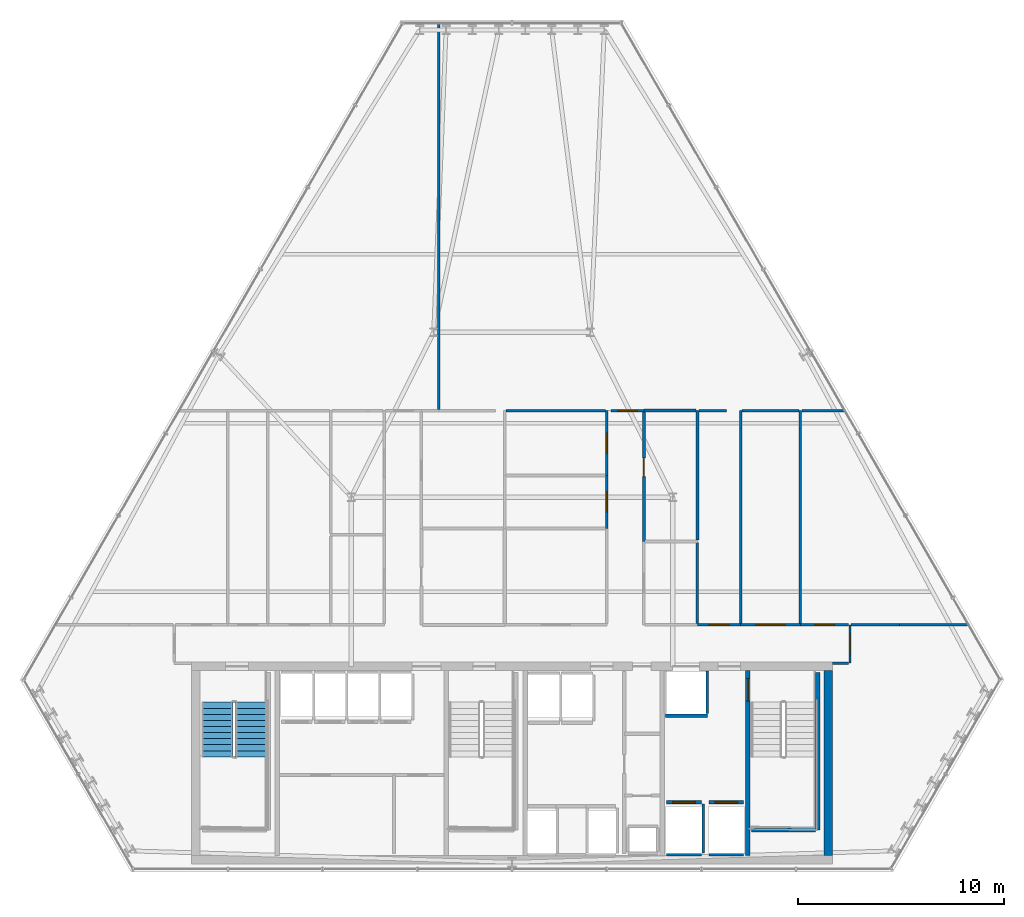
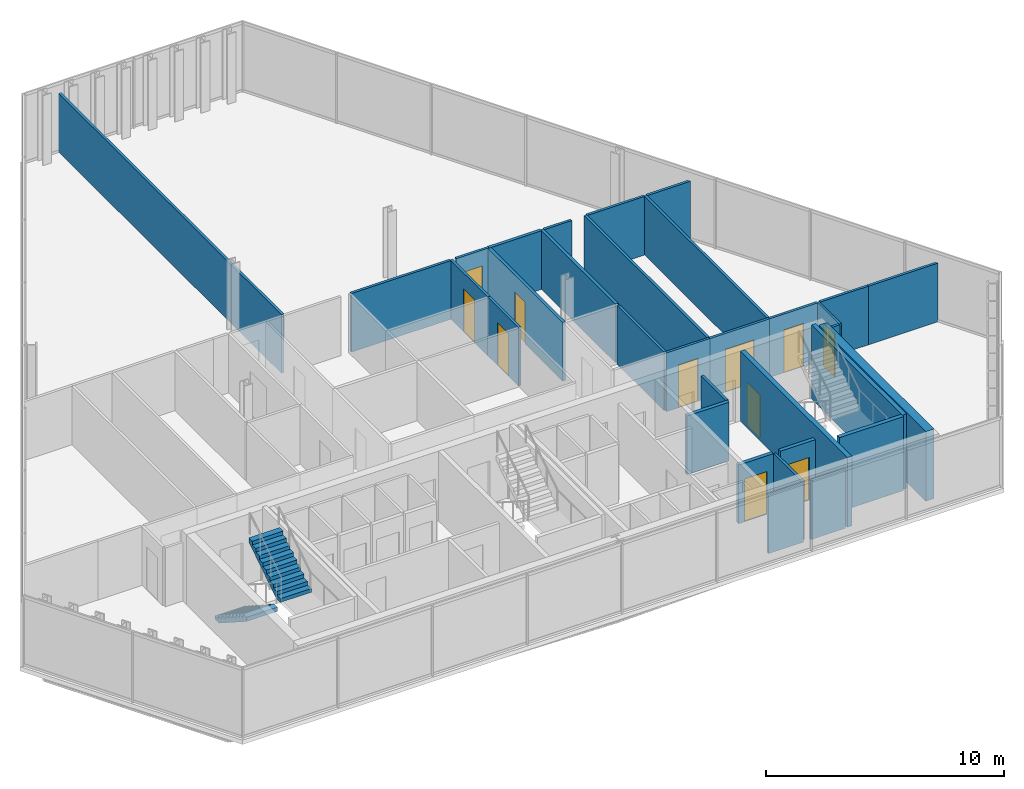
# One storey, part 29 of 33: 32 walls, 11 doors, 2 stair flights, 11 openings, 1 element without a shape of its own.
"""IFC4 building model written with IfcOpenShell, lengths in metres."""

from ifc_helpers import new_model, si_unit, direction, frame, frame_2d, origin, place, context, subcontext, project, spatial, polyline, rectangle, outline, extrude, material, layer, layer_set, type_object, element, fill, aggregate, save


model = new_model("IFC4")

# Units and contexts
model_context = context("Model", 3, precision=1e-05, world=origin(), true_north=direction((0.0, 1.0)))
body_context = subcontext(model_context, "Body", "Model", "MODEL_VIEW")
ifc_project = project(units=[si_unit("LENGTHUNIT", "METRE"), si_unit("AREAUNIT", "SQUARE_METRE"), si_unit("VOLUMEUNIT", "CUBIC_METRE"), si_unit("PLANEANGLEUNIT", "RADIAN"), si_unit("MASSUNIT", "GRAM", prefix="KILO")], contexts=[model_context])

# Site, building, storey
site_placement = place(None, origin())
site = spatial("IfcSite", under=ifc_project, at=site_placement, CompositionType="ELEMENT")
building_placement = place(site_placement, origin())
building = spatial("IfcBuilding", under=site, at=building_placement, Name="Ndaravel Arena Tower", CompositionType="ELEMENT")
storey_placement = place(building_placement, frame((0.0, 0.0, 165.0)))
storey = spatial("IfcBuildingStorey", under=building, at=storey_placement, Name="L39", CompositionType="ELEMENT", Elevation=165.0)

# Wall, opening, door
ifc_material_1 = material(Name="Concrete C50/60", Category="concrete")
ifc_layer_1 = layer(ifc_material_1, 0.219970703125)
ifc_layer_set_1 = layer_set([ifc_layer_1], Name="Concrete C50/60")
wall_type_1 = type_object("IfcWallType", Name="WALL-CORE-220", PredefinedType="SOLIDWALL", material=ifc_layer_set_1)
wall_1_placement = place(storey_placement, frame((53.449951171875, 5.800048828125, 0.0), z_axis=(0.0, 0.0, 1.0), x_axis=(0.0, 1.0, 0.0)))
wall_1 = element("IfcWall", 1, at=wall_1_placement, inside=storey, type_object=wall_type_1, Name="L39 Core Web Shear Wall 5", PredefinedType="SOLIDWALL", context=body_context, shape_type="SweptSolid", body=[
    extrude(rectangle(XDim=9.0, YDim=0.219970703125, at=frame_2d((4.5, 0.0))), origin(), (0.0, 0.0, 1.0), 3.580078125),
])
opening_1_placement = place(wall_1_placement, frame((7.5, 0.0, 0.0)))
opening_1 = element("IfcOpeningElement", 2, at=opening_1_placement, cuts=wall_1, Name="Opening FD-01", PredefinedType="OPENING", context=body_context, shape_type="SweptSolid", body=[
    extrude(rectangle(XDim=1.10009765625, YDim=2.199951171875, at=frame_2d((0.550048828125, 1.10009765625))), frame((0.0, 0.10986328125, 0.0), z_axis=(0.0, -1.0, 0.0), x_axis=(1.0, 0.0, 0.0)), (0.0, 0.0, 1.0), 0.219970703125),
])
ifc_material_2 = material(Name="Steel S355", Category="steel")
door_type_1 = type_object("IfcDoorType", Name="DT-01-STAIR-1100", OperationType="SINGLE_SWING_LEFT", PredefinedType="DOOR", material=ifc_material_2)
door_1_placement = place(opening_1_placement, origin())
door_1 = element("IfcDoor", 3, at=door_1_placement, inside=storey, type_object=door_type_1, Name="L39 Firefighting Lobby to ST-3 Door", OperationType="SINGLE_SWING_LEFT", OverallHeight=2.199951171875, OverallWidth=1.10009765625, PredefinedType="DOOR", context=body_context, shape_type="SweptSolid", body=[
    extrude(rectangle(XDim=1.10009765625, YDim=2.199951171875, at=frame_2d((0.550048828125, 1.10009765625))), frame((0.0, 0.02490234375, 0.0), z_axis=(0.0, -1.0, 0.0), x_axis=(1.0, 0.0, 0.0)), (0.0, 0.0, 1.0), 0.050048828125),
])
fill(opening_1, door_1)

# Wall
ifc_material_3 = material(Name="Concrete C50/60", Category="concrete")
ifc_layer_2 = layer(ifc_material_3, 0.39990234375)
ifc_layer_set_2 = layer_set([ifc_layer_2], Name="Concrete C50/60")
wall_type_2 = type_object("IfcWallType", Name="WALL-CORE-400", PredefinedType="SOLIDWALL", material=ifc_layer_set_2)
wall_2_placement = place(storey_placement, frame((57.35009765625, 5.800048828125, 0.0), z_axis=(0.0, 0.0, 1.0), x_axis=(0.0, 1.0, 0.0)))
element("IfcWall", 4, at=wall_2_placement, inside=storey, type_object=wall_type_2, Name="L39 Core East Shear Wall", PredefinedType="SOLIDWALL", context=body_context, shape_type="SweptSolid", body=[
    extrude(rectangle(XDim=9.0, YDim=0.39990234375, at=frame_2d((4.5, 0.0))), origin(), (0.0, 0.0, 1.0), 3.580078125),
])

# Wall, opening, door
ifc_material_4 = material(Name="Timber", Category="wood")
ifc_layer_3 = layer(ifc_material_4, 0.10009765625)
ifc_layer_set_3 = layer_set([ifc_layer_3], Name="Timber")
wall_type_3 = type_object("IfcWallType", Name="WALL-MOVABLE-100", PredefinedType="MOVABLE", material=ifc_layer_set_3)
wall_3_placement = place(storey_placement, frame((58.39990234375, 17.0, 0.0), z_axis=(0.0, 0.0, 1.0), x_axis=(0.0, -1.0, 0.0)))
wall_3 = element("IfcWall", 5, at=wall_3_placement, inside=storey, type_object=wall_type_3, Name="L39 Interior Partition 001", PredefinedType="MOVABLE", context=body_context, shape_type="SweptSolid", body=[
    extrude(rectangle(XDim=1.85009765625, YDim=0.10009765625, at=frame_2d((0.925048828125, 0.0))), origin(), (0.0, 0.0, 1.0), 3.010498046875),
])
opening_2_placement = place(wall_3_placement, frame((0.449951171875, 0.0, 0.0)))
opening_2 = element("IfcOpeningElement", 6, at=opening_2_placement, cuts=wall_3, Name="Opening ID-01", PredefinedType="OPENING", context=body_context, shape_type="SweptSolid", body=[
    extrude(rectangle(XDim=0.949951171875, YDim=2.199951171875, at=frame_2d((0.47509765625, 1.10009765625))), frame((0.0, 0.050048828125, 0.0), z_axis=(0.0, -1.0, 0.0), x_axis=(1.0, 0.0, 0.0)), (0.0, 0.0, 1.0), 0.10009765625),
])
ifc_material_5 = material(Name="Timber", Category="wood")
door_type_2 = type_object("IfcDoorType", Name="DT-03-OFFICE-950", OperationType="SINGLE_SWING_LEFT", PredefinedType="DOOR", material=ifc_material_5)
door_2_placement = place(opening_2_placement, origin())
door_2 = element("IfcDoor", 7, at=door_2_placement, inside=storey, type_object=door_type_2, Name="L39 Staff Wellness Clinic Door", OperationType="SINGLE_SWING_LEFT", OverallHeight=2.199951171875, OverallWidth=0.949951171875, PredefinedType="DOOR", context=body_context, shape_type="SweptSolid", body=[
    extrude(rectangle(XDim=0.949951171875, YDim=2.199951171875, at=frame_2d((0.47509765625, 1.10009765625))), frame((0.0, 0.02490234375, 0.0), z_axis=(0.0, -1.0, 0.0), x_axis=(1.0, 0.0, 0.0)), (0.0, 0.0, 1.0), 0.050048828125),
])
fill(opening_2, door_2)

# Wall
ifc_material_6 = material(Name="Gypsum", Category="gypsum")
ifc_layer_4 = layer(ifc_material_6, 0.125)
ifc_layer_set_4 = layer_set([ifc_layer_4], Name="Gypsum")
wall_type_4 = type_object("IfcWallType", Name="WALL-PART-125", PredefinedType="PARTITIONING", material=ifc_layer_set_4)
wall_4_placement = place(storey_placement, frame((58.3349609375, 15.14990234375, 0.0), z_axis=(0.0, 0.0, 1.0), x_axis=(-1.0, 0.0, 0.0)))
element("IfcWall", 8, at=wall_4_placement, inside=storey, type_object=wall_type_4, Name="L39 Interior Partition 002", PredefinedType="PARTITIONING", context=body_context, shape_type="SweptSolid", body=[
    extrude(rectangle(XDim=0.784912109375, YDim=0.125, at=frame_2d((0.392578125, 0.0))), origin(), (0.0, 0.0, 1.0), 3.010498046875),
])

# Wall, opening, door
wall_5_placement = place(storey_placement, frame((46.60009765625, 21.679931640625, 0.0), z_axis=(0.0, 0.0, 1.0), x_axis=(0.0, 1.0, 0.0)))
wall_5 = element("IfcWall", 9, at=wall_5_placement, inside=storey, type_object=wall_type_4, Name="L39 Interior Partition 017", PredefinedType="PARTITIONING", context=body_context, shape_type="SweptSolid", body=[
    extrude(rectangle(XDim=2.573974609375, YDim=0.125, at=frame_2d((1.287109375, 0.0))), origin(), (0.0, 0.0, 1.0), 3.010498046875),
])
opening_3_placement = place(wall_5_placement, frame((0.81201171875, 0.0, 0.0)))
opening_3 = element("IfcOpeningElement", 10, at=opening_3_placement, cuts=wall_5, Name="Opening ID-01", PredefinedType="OPENING", context=body_context, shape_type="SweptSolid", body=[
    extrude(rectangle(XDim=0.949951171875, YDim=2.199951171875, at=frame_2d((0.47509765625, 1.10009765625))), frame((0.0, 0.0625, 0.0), z_axis=(0.0, -1.0, 0.0), x_axis=(1.0, 0.0, 0.0)), (0.0, 0.0, 1.0), 0.125),
])
door_3_placement = place(opening_3_placement, origin())
door_3 = element("IfcDoor", 11, at=door_3_placement, inside=storey, type_object=door_type_2, Name="L39 Staff Wellness Clinic 5 Door", OperationType="SINGLE_SWING_RIGHT", OverallHeight=2.199951171875, OverallWidth=0.949951171875, PredefinedType="DOOR", context=body_context, shape_type="SweptSolid", body=[
    extrude(rectangle(XDim=0.949951171875, YDim=2.199951171875, at=frame_2d((0.47509765625, 1.10009765625))), frame((0.0, 0.02490234375, 0.0), z_axis=(0.0, -1.0, 0.0), x_axis=(1.0, 0.0, 0.0)), (0.0, 0.0, 1.0), 0.050048828125),
])
fill(opening_3, door_3)

wall_6_placement = place(storey_placement, frame((46.60009765625, 24.25390625, 0.0), z_axis=(0.0, 0.0, 1.0), x_axis=(0.0, 1.0, 0.0)))
wall_6 = element("IfcWall", 12, at=wall_6_placement, inside=storey, type_object=wall_type_4, Name="L39 Interior Partition 018", PredefinedType="PARTITIONING", context=body_context, shape_type="SweptSolid", body=[
    extrude(rectangle(XDim=3.14599609375, YDim=0.125, at=frame_2d((1.572998046875, 0.0))), origin(), (0.0, 0.0, 1.0), 3.010498046875),
])
opening_4_placement = place(wall_6_placement, frame((1.097900390625, 0.0, 0.0)))
opening_4 = element("IfcOpeningElement", 13, at=opening_4_placement, cuts=wall_6, Name="Opening ID-01", PredefinedType="OPENING", context=body_context, shape_type="SweptSolid", body=[
    extrude(rectangle(XDim=0.949951171875, YDim=2.199951171875, at=frame_2d((0.47509765625, 1.10009765625))), frame((0.0, 0.0625, 0.0), z_axis=(0.0, -1.0, 0.0), x_axis=(1.0, 0.0, 0.0)), (0.0, 0.0, 1.0), 0.125),
])
door_4_placement = place(opening_4_placement, origin())
door_4 = element("IfcDoor", 14, at=door_4_placement, inside=storey, type_object=door_type_2, Name="L39 Project Seminar Room 7 Door", OperationType="SINGLE_SWING_RIGHT", OverallHeight=2.199951171875, OverallWidth=0.949951171875, PredefinedType="DOOR", context=body_context, shape_type="SweptSolid", body=[
    extrude(rectangle(XDim=0.949951171875, YDim=2.199951171875, at=frame_2d((0.47509765625, 1.10009765625))), frame((0.0, 0.02490234375, 0.0), z_axis=(0.0, -1.0, 0.0), x_axis=(1.0, 0.0, 0.0)), (0.0, 0.0, 1.0), 0.050048828125),
])
fill(opening_4, door_4)

wall_7_placement = place(storey_placement, frame((46.800048828125, 27.39990234375, 0.0), z_axis=(0.0, 0.0, 1.0), x_axis=(1.0, 0.0, 0.0)))
wall_7 = element("IfcWall", 15, at=wall_7_placement, inside=storey, type_object=wall_type_4, Name="L39 Interior Partition 019", PredefinedType="PARTITIONING", context=body_context, shape_type="SweptSolid", body=[
    extrude(rectangle(XDim=1.599853515625, YDim=0.125, at=frame_2d((0.7998046875, 0.0))), origin(), (0.0, 0.0, 1.0), 3.010498046875),
])
opening_5_placement = place(wall_7_placement, frame((0.324951171875, 0.0, 0.0)))
opening_5 = element("IfcOpeningElement", 16, at=opening_5_placement, cuts=wall_7, Name="Opening ID-01", PredefinedType="OPENING", context=body_context, shape_type="SweptSolid", body=[
    extrude(rectangle(XDim=0.949951171875, YDim=2.199951171875, at=frame_2d((0.47509765625, 1.10009765625))), frame((0.0, 0.0625, 0.0), z_axis=(0.0, -1.0, 0.0), x_axis=(1.0, 0.0, 0.0)), (0.0, 0.0, 1.0), 0.125),
])
door_5_placement = place(opening_5_placement, origin())
door_5 = element("IfcDoor", 17, at=door_5_placement, inside=storey, type_object=door_type_2, Name="L39 Training Classroom 8 Door", OperationType="SINGLE_SWING_RIGHT", OverallHeight=2.199951171875, OverallWidth=0.949951171875, PredefinedType="DOOR", context=body_context, shape_type="SweptSolid", body=[
    extrude(rectangle(XDim=0.949951171875, YDim=2.199951171875, at=frame_2d((0.47509765625, 1.10009765625))), frame((0.0, 0.02490234375, 0.0), z_axis=(0.0, -1.0, 0.0), x_axis=(1.0, 0.0, 0.0)), (0.0, 0.0, 1.0), 0.050048828125),
])
fill(opening_5, door_5)

wall_8_placement = place(storey_placement, frame((51.0, 17.0, 0.0), z_axis=(0.0, 0.0, 1.0), x_axis=(1.0, 0.0, 0.0)))
wall_8 = element("IfcWall", 18, at=wall_8_placement, inside=storey, type_object=wall_type_4, Name="L39 Interior Partition 023", PredefinedType="PARTITIONING", context=body_context, shape_type="SweptSolid", body=[
    extrude(rectangle(XDim=2.10009765625, YDim=0.125, at=frame_2d((1.050048828125, 0.0))), origin(), (0.0, 0.0, 1.0), 3.010498046875),
])
opening_6_placement = place(wall_8_placement, frame((0.574951171875, 0.0, 0.0)))
opening_6 = element("IfcOpeningElement", 19, at=opening_6_placement, cuts=wall_8, Name="Opening ID-01", PredefinedType="OPENING", context=body_context, shape_type="SweptSolid", body=[
    extrude(rectangle(XDim=0.949951171875, YDim=2.199951171875, at=frame_2d((0.47509765625, 1.10009765625))), frame((0.0, 0.0625, 0.0), z_axis=(0.0, -1.0, 0.0), x_axis=(1.0, 0.0, 0.0)), (0.0, 0.0, 1.0), 0.125),
])
door_6_placement = place(opening_6_placement, origin())
door_6 = element("IfcDoor", 20, at=door_6_placement, inside=storey, type_object=door_type_2, Name="L39 Physio Therapy Room 4 Door", OperationType="SINGLE_SWING_RIGHT", OverallHeight=2.199951171875, OverallWidth=0.949951171875, PredefinedType="DOOR", context=body_context, shape_type="SweptSolid", body=[
    extrude(rectangle(XDim=0.949951171875, YDim=2.199951171875, at=frame_2d((0.47509765625, 1.10009765625))), frame((0.0, 0.02490234375, 0.0), z_axis=(0.0, -1.0, 0.0), x_axis=(1.0, 0.0, 0.0)), (0.0, 0.0, 1.0), 0.050048828125),
])
fill(opening_6, door_6)

wall_9_placement = place(storey_placement, frame((53.10009765625, 17.0, 0.0), z_axis=(0.0, 0.0, 1.0), x_axis=(1.0, 0.0, 0.0)))
wall_9 = element("IfcWall", 21, at=wall_9_placement, inside=storey, type_object=wall_type_4, Name="L39 Interior Partition 024", PredefinedType="PARTITIONING", context=body_context, shape_type="SweptSolid", body=[
    extrude(rectangle(XDim=2.89990234375, YDim=0.125, at=frame_2d((1.449951171875, 0.0))), origin(), (0.0, 0.0, 1.0), 3.010498046875),
])
opening_7_placement = place(wall_9_placement, frame((0.75, 0.0, 0.0)))
opening_7 = element("IfcOpeningElement", 22, at=opening_7_placement, cuts=wall_9, Name="Opening ID-02", PredefinedType="OPENING", context=body_context, shape_type="SweptSolid", body=[
    extrude(rectangle(XDim=1.39990234375, YDim=2.199951171875, at=frame_2d((0.699951171875, 1.10009765625))), frame((0.0, 0.0625, 0.0), z_axis=(0.0, -1.0, 0.0), x_axis=(1.0, 0.0, 0.0)), (0.0, 0.0, 1.0), 0.125),
])
ifc_material_7 = material(Name="Timber", Category="wood")
door_type_3 = type_object("IfcDoorType", Name="DT-04-SUITE-1400", OperationType="DOUBLE_DOOR_SINGLE_SWING", PredefinedType="DOOR", material=ifc_material_7)
door_7_placement = place(opening_7_placement, origin())
door_7 = element("IfcDoor", 23, at=door_7_placement, inside=storey, type_object=door_type_3, Name="L39 Executive Boardroom 5 Door", OperationType="SINGLE_SWING_LEFT", OverallHeight=2.199951171875, OverallWidth=1.39990234375, PredefinedType="DOOR", context=body_context, shape_type="SweptSolid", body=[
    extrude(rectangle(XDim=1.39990234375, YDim=2.199951171875, at=frame_2d((0.699951171875, 1.10009765625))), frame((0.0, 0.02490234375, 0.0), z_axis=(0.0, -1.0, 0.0), x_axis=(1.0, 0.0, 0.0)), (0.0, 0.0, 1.0), 0.050048828125),
])
fill(opening_7, door_7)

wall_10_placement = place(storey_placement, frame((56.0, 17.0, 0.0), z_axis=(0.0, 0.0, 1.0), x_axis=(1.0, 0.0, 0.0)))
wall_10 = element("IfcWall", 24, at=wall_10_placement, inside=storey, type_object=wall_type_4, Name="L39 Interior Partition 025", PredefinedType="PARTITIONING", context=body_context, shape_type="SweptSolid", body=[
    extrude(rectangle(XDim=2.3349609375, YDim=0.125, at=frame_2d((1.16748046875, 0.0))), origin(), (0.0, 0.0, 1.0), 3.010498046875),
])
opening_8_placement = place(wall_10_placement, frame((0.6923828125, 0.0, 0.0)))
opening_8 = element("IfcOpeningElement", 25, at=opening_8_placement, cuts=wall_10, Name="Opening ID-01", PredefinedType="OPENING", context=body_context, shape_type="SweptSolid", body=[
    extrude(rectangle(XDim=0.949951171875, YDim=2.199951171875, at=frame_2d((0.47509765625, 1.10009765625))), frame((0.0, 0.0625, 0.0), z_axis=(0.0, -1.0, 0.0), x_axis=(1.0, 0.0, 0.0)), (0.0, 0.0, 1.0), 0.125),
])
door_8_placement = place(opening_8_placement, origin())
door_8 = element("IfcDoor", 26, at=door_8_placement, inside=storey, type_object=door_type_2, Name="L39 Project Seminar Room 3 Door", OperationType="SINGLE_SWING_RIGHT", OverallHeight=2.199951171875, OverallWidth=0.949951171875, PredefinedType="DOOR", context=body_context, shape_type="SweptSolid", body=[
    extrude(rectangle(XDim=0.949951171875, YDim=2.199951171875, at=frame_2d((0.47509765625, 1.10009765625))), frame((0.0, 0.02490234375, 0.0), z_axis=(0.0, -1.0, 0.0), x_axis=(1.0, 0.0, 0.0)), (0.0, 0.0, 1.0), 0.050048828125),
])
fill(opening_8, door_8)

# Walls
wall_11_placement = place(storey_placement, frame((58.465087890625, 17.0, 0.0), z_axis=(0.0, 0.0, 1.0), x_axis=(1.0, 0.0, 0.0)))
element("IfcWall", 27, at=wall_11_placement, inside=storey, type_object=wall_type_4, Name="L39 Interior Partition 028", PredefinedType="PARTITIONING", context=body_context, shape_type="SweptSolid", body=[
    extrude(rectangle(XDim=2.3349609375, YDim=0.125, at=frame_2d((1.16748046875, 0.0))), origin(), (0.0, 0.0, 1.0), 3.010498046875),
])
wall_12_placement = place(storey_placement, frame((60.800048828125, 17.0, 0.0), z_axis=(0.0, 0.0, 1.0), x_axis=(1.0, 0.0, 0.0)))
element("IfcWall", 28, at=wall_12_placement, inside=storey, type_object=wall_type_4, Name="L39 Interior Partition 029", PredefinedType="PARTITIONING", context=body_context, shape_type="SweptSolid", body=[
    extrude(rectangle(XDim=3.364501953125, YDim=0.125, at=frame_2d((1.68212890625, 0.0))), origin(), (0.0, 0.0, 1.0), 3.010498046875),
])
wall_13_placement = place(storey_placement, frame((51.0, 20.990966796875, 0.0), z_axis=(0.0, 0.0, 1.0), x_axis=(0.0, -1.0, 0.0)))
element("IfcWall", 29, at=wall_13_placement, inside=storey, type_object=wall_type_4, Name="L39 Interior Partition 031", PredefinedType="PARTITIONING", context=body_context, shape_type="SweptSolid", body=[
    extrude(rectangle(XDim=3.926025390625, YDim=0.125, at=frame_2d((1.962890625, 0.0))), origin(), (0.0, 0.0, 1.0), 3.010498046875),
])
wall_14_placement = place(storey_placement, frame((56.0, 17.06494140625, 0.0), z_axis=(0.0, 0.0, 1.0), x_axis=(0.0, 1.0, 0.0)))
element("IfcWall", 30, at=wall_14_placement, inside=storey, type_object=wall_type_4, Name="L39 Interior Partition 037", PredefinedType="PARTITIONING", context=body_context, shape_type="SweptSolid", body=[
    extrude(rectangle(XDim=10.3349609375, YDim=0.125, at=frame_2d((5.16748046875, 0.0))), origin(), (0.0, 0.0, 1.0), 3.010498046875),
])
wall_15_placement = place(storey_placement, frame((56.06494140625, 27.39990234375, 0.0), z_axis=(0.0, 0.0, 1.0), x_axis=(1.0, 0.0, 0.0)))
element("IfcWall", 31, at=wall_15_placement, inside=storey, type_object=wall_type_4, Name="L39 Interior Partition 038", PredefinedType="PARTITIONING", context=body_context, shape_type="SweptSolid", body=[
    extrude(rectangle(XDim=2.09521484375, YDim=0.125, at=frame_2d((1.047607421875, 0.0))), origin(), (0.0, 0.0, 1.0), 3.010498046875),
])
wall_16_placement = place(storey_placement, frame((51.06494140625, 27.39990234375, 0.0), z_axis=(0.0, 0.0, 1.0), x_axis=(1.0, 0.0, 0.0)))
element("IfcWall", 32, at=wall_16_placement, inside=storey, type_object=wall_type_4, Name="L39 Interior Partition 046", PredefinedType="PARTITIONING", context=body_context, shape_type="SweptSolid", body=[
    extrude(rectangle(XDim=1.3349609375, YDim=0.125, at=frame_2d((0.66748046875, 0.0))), origin(), (0.0, 0.0, 1.0), 3.010498046875),
])
wall_17_placement = place(storey_placement, frame((53.10009765625, 27.39990234375, 0.0), z_axis=(0.0, 0.0, 1.0), x_axis=(0.0, -1.0, 0.0)))
element("IfcWall", 33, at=wall_17_placement, inside=storey, type_object=wall_type_4, Name="L39 Interior Partition 047", PredefinedType="PARTITIONING", context=body_context, shape_type="SweptSolid", body=[
    extrude(rectangle(XDim=10.3349609375, YDim=0.125, at=frame_2d((5.16748046875, 0.0))), origin(), (0.0, 0.0, 1.0), 3.010498046875),
])
wall_18_placement = place(storey_placement, frame((53.1650390625, 27.39990234375, 0.0), z_axis=(0.0, 0.0, 1.0), x_axis=(1.0, 0.0, 0.0)))
element("IfcWall", 34, at=wall_18_placement, inside=storey, type_object=wall_type_4, Name="L39 Interior Partition 048", PredefinedType="PARTITIONING", context=body_context, shape_type="SweptSolid", body=[
    extrude(rectangle(XDim=2.77001953125, YDim=0.125, at=frame_2d((1.385009765625, 0.0))), origin(), (0.0, 0.0, 1.0), 3.010498046875),
])
wall_19_placement = place(storey_placement, frame((41.715087890625, 27.39990234375, 0.0), z_axis=(0.0, 0.0, 1.0), x_axis=(1.0, 0.0, 0.0)))
element("IfcWall", 35, at=wall_19_placement, inside=storey, type_object=wall_type_4, Name="L39 Interior Partition 057", PredefinedType="PARTITIONING", context=body_context, shape_type="SweptSolid", body=[
    extrude(rectangle(XDim=4.81982421875, YDim=0.125, at=frame_2d((2.409912109375, 0.0))), origin(), (0.0, 0.0, 1.0), 3.010498046875),
])
wall_20_placement = place(storey_placement, frame((38.44482421875, 46.20166015625, 0.0), z_axis=(0.0, 0.0, 1.0), x_axis=(0.0, -1.0, 0.0)))
element("IfcWall", 36, at=wall_20_placement, inside=storey, type_object=wall_type_4, Name="L39 Interior Partition 058", PredefinedType="PARTITIONING", context=body_context, shape_type="SweptSolid", body=[
    extrude(rectangle(XDim=18.736572265625, YDim=0.125, at=frame_2d((9.3681640625, 0.0))), origin(), (0.0, 0.0, 1.0), 3.010498046875),
])
ifc_material_8 = material(Name="Concrete C40/50", Category="concrete")
ifc_layer_5 = layer(ifc_material_8, 0.1201171875)
ifc_layer_set_5 = layer_set([ifc_layer_5], Name="Concrete C40/50")
wall_type_5 = type_object("IfcWallType", Name="WALL-SHAFT-120", PredefinedType="SOLIDWALL", material=ifc_layer_set_5)
wall_21_placement = place(storey_placement, frame((49.5048828125, 5.840087890625, 0.0), z_axis=(0.0, 0.0, 1.0), x_axis=(1.0, 0.0, 0.0)))
element("IfcWall", 37, at=wall_21_placement, inside=storey, type_object=wall_type_5, Name="L39 FFL-1 Shaft Rear Wall", PredefinedType="SOLIDWALL", context=body_context, shape_type="SweptSolid", body=[
    extrude(rectangle(XDim=1.690185546875, YDim=0.1201171875, at=frame_2d((0.84521484375, 0.0))), origin(), (0.0, 0.0, 1.0), 3.010498046875),
])
wall_22_placement = place(storey_placement, frame((51.27490234375, 5.929931640625, 0.0), z_axis=(0.0, 0.0, 1.0), x_axis=(0.0, 1.0, 0.0)))
element("IfcWall", 38, at=wall_22_placement, inside=storey, type_object=wall_type_5, Name="L39 FFL-1 Shaft Side R Wall", PredefinedType="SOLIDWALL", context=body_context, shape_type="SweptSolid", body=[
    extrude(rectangle(XDim=2.380126953125, YDim=0.1201171875, at=frame_2d((1.18994140625, 0.0))), origin(), (0.0, 0.0, 1.0), 3.010498046875),
])
wall_23_placement = place(storey_placement, frame((51.554931640625, 5.840087890625, 0.0), z_axis=(0.0, 0.0, 1.0), x_axis=(1.0, 0.0, 0.0)))
element("IfcWall", 39, at=wall_23_placement, inside=storey, type_object=wall_type_5, Name="L39 FFL-2 Shaft Rear Wall", PredefinedType="SOLIDWALL", context=body_context, shape_type="SweptSolid", body=[
    extrude(rectangle(XDim=1.690185546875, YDim=0.1201171875, at=frame_2d((0.84521484375, 0.0))), origin(), (0.0, 0.0, 1.0), 3.010498046875),
])
wall_24_placement = place(storey_placement, frame((51.47998046875, 12.68994140625, 0.0), z_axis=(0.0, 0.0, 1.0), x_axis=(0.0, 1.0, 0.0)))
element("IfcWall", 40, at=wall_24_placement, inside=storey, type_object=wall_type_5, Name="L39 SVL-1 Shaft E Wall", PredefinedType="SOLIDWALL", context=body_context, shape_type="SweptSolid", body=[
    extrude(rectangle(XDim=2.070068359375, YDim=0.1201171875, at=frame_2d((1.03515625, 0.0))), origin(), (0.0, 0.0, 1.0), 3.010498046875),
])
ifc_material_9 = material(Name="Concrete C40/50", Category="concrete")
ifc_layer_6 = layer(ifc_material_9, 0.199951171875)
ifc_layer_set_6 = layer_set([ifc_layer_6], Name="Concrete C40/50")
wall_type_6 = type_object("IfcWallType", Name="WALL-SHAFT-200", PredefinedType="SOLIDWALL", material=ifc_layer_set_6)
wall_25_placement = place(storey_placement, frame((56.840087890625, 14.699951171875, 0.0), z_axis=(0.0, 0.0, 1.0), x_axis=(0.0, -1.0, 0.0)))
element("IfcWall", 41, at=wall_25_placement, inside=storey, type_object=wall_type_6, Name="L39 ST-3 Structural Shaft Wall Right", PredefinedType="SOLIDWALL", context=body_context, shape_type="SweptSolid", body=[
    extrude(rectangle(XDim=7.64990234375, YDim=0.199951171875, at=frame_2d((3.824951171875, 0.0))), origin(), (0.0, 0.0, 1.0), 3.800048828125),
])
wall_26_placement = place(storey_placement, frame((53.6201171875, 7.050048828125, 0.0), z_axis=(0.0, 0.0, 1.0), x_axis=(1.0, 0.0, 0.0)))
element("IfcWall", 42, at=wall_26_placement, inside=storey, type_object=wall_type_6, Name="L39 ST-3 Structural Shaft Wall Far", PredefinedType="SOLIDWALL", context=body_context, shape_type="SweptSolid", body=[
    extrude(rectangle(XDim=3.114990234375, YDim=0.199951171875, at=frame_2d((1.5576171875, 0.0))), origin(), (0.0, 0.0, 1.0), 3.800048828125),
])

# Wall, opening, door
wall_27_placement = place(storey_placement, frame((49.5048828125, 8.39990234375, 0.0), z_axis=(0.0, 0.0, 1.0), x_axis=(1.0, 0.0, 0.0)))
wall_27 = element("IfcWall", 43, at=wall_27_placement, inside=storey, type_object=wall_type_6, Name="L39 FFL-1 Shaft Landing Wall", PredefinedType="SOLIDWALL", context=body_context, shape_type="SweptSolid", body=[
    extrude(rectangle(XDim=1.690185546875, YDim=0.179931640625, at=frame_2d((0.84521484375, 0.0))), origin(), (0.0, 0.0, 1.0), 3.010498046875),
])
opening_9_placement = place(wall_27_placement, frame((0.294921875, 0.0, 0.0)))
opening_9 = element("IfcOpeningElement", 44, at=opening_9_placement, cuts=wall_27, Name="Opening LD-01", PredefinedType="OPENING", context=body_context, shape_type="SweptSolid", body=[
    extrude(rectangle(XDim=1.10009765625, YDim=2.199951171875, at=frame_2d((0.550048828125, 1.10009765625))), frame((0.0, 0.08984375, 0.0), z_axis=(0.0, -1.0, 0.0), x_axis=(1.0, 0.0, 0.0)), (0.0, 0.0, 1.0), 0.179931640625),
])
ifc_material_10 = material(Name="Steel S355", Category="steel")
door_type_4 = type_object("IfcDoorType", Name="DT-06-LIFT-1100", OperationType="SLIDING_TO_LEFT", PredefinedType="DOOR", material=ifc_material_10)
door_9_placement = place(opening_9_placement, origin())
door_9 = element("IfcDoor", 45, at=door_9_placement, inside=storey, type_object=door_type_4, Name="L39 Lift FFL-1 Sliding Landing Door", OperationType="SLIDING_TO_LEFT", OverallHeight=2.199951171875, OverallWidth=1.10009765625, PredefinedType="DOOR", context=body_context, shape_type="SweptSolid", body=[
    extrude(rectangle(XDim=1.10009765625, YDim=2.199951171875, at=frame_2d((0.550048828125, 1.10009765625))), frame((0.0, 0.02490234375, 0.0), z_axis=(0.0, -1.0, 0.0), x_axis=(1.0, 0.0, 0.0)), (0.0, 0.0, 1.0), 0.050048828125),
])
fill(opening_9, door_9)

wall_28_placement = place(storey_placement, frame((51.554931640625, 8.39990234375, 0.0), z_axis=(0.0, 0.0, 1.0), x_axis=(1.0, 0.0, 0.0)))
wall_28 = element("IfcWall", 46, at=wall_28_placement, inside=storey, type_object=wall_type_6, Name="L39 FFL-2 Shaft Landing Wall", PredefinedType="SOLIDWALL", context=body_context, shape_type="SweptSolid", body=[
    extrude(rectangle(XDim=1.690185546875, YDim=0.179931640625, at=frame_2d((0.84521484375, 0.0))), origin(), (0.0, 0.0, 1.0), 3.010498046875),
])
opening_10_placement = place(wall_28_placement, frame((0.294921875, 0.0, 0.0)))
opening_10 = element("IfcOpeningElement", 47, at=opening_10_placement, cuts=wall_28, Name="Opening LD-01", PredefinedType="OPENING", context=body_context, shape_type="SweptSolid", body=[
    extrude(rectangle(XDim=1.10009765625, YDim=2.199951171875, at=frame_2d((0.550048828125, 1.10009765625))), frame((0.0, 0.08984375, 0.0), z_axis=(0.0, -1.0, 0.0), x_axis=(1.0, 0.0, 0.0)), (0.0, 0.0, 1.0), 0.179931640625),
])
door_10_placement = place(opening_10_placement, origin())
door_10 = element("IfcDoor", 48, at=door_10_placement, inside=storey, type_object=door_type_4, Name="L39 Lift FFL-2 Sliding Landing Door", OperationType="SLIDING_TO_LEFT", OverallHeight=2.199951171875, OverallWidth=1.10009765625, PredefinedType="DOOR", context=body_context, shape_type="SweptSolid", body=[
    extrude(rectangle(XDim=1.10009765625, YDim=2.199951171875, at=frame_2d((0.550048828125, 1.10009765625))), frame((0.0, 0.02490234375, 0.0), z_axis=(0.0, -1.0, 0.0), x_axis=(1.0, 0.0, 0.0)), (0.0, 0.0, 1.0), 0.050048828125),
])
fill(opening_10, door_10)

# Wall
wall_29_placement = place(storey_placement, frame((49.43994140625, 12.594970703125, 0.0), z_axis=(0.0, 0.0, 1.0), x_axis=(1.0, 0.0, 0.0)))
element("IfcWall", 49, at=wall_29_placement, inside=storey, type_object=wall_type_6, Name="L39 SVL-1 Shaft South Wall", PredefinedType="SOLIDWALL", context=body_context, shape_type="SweptSolid", body=[
    extrude(rectangle(XDim=2.0400390625, YDim=0.179931640625, at=frame_2d((1.02001953125, 0.0))), origin(), (0.0, 0.0, 1.0), 3.010498046875),
])

# Wall, opening, door
ifc_material_11 = material(Name="Masonry", Category="masonry")
ifc_layer_7 = layer(ifc_material_11, 0.14990234375)
ifc_layer_set_7 = layer_set([ifc_layer_7], Name="Masonry")
wall_type_7 = type_object("IfcWallType", Name="WALL-WET-150", PredefinedType="PARTITIONING", material=ifc_layer_set_7)
wall_30_placement = place(storey_placement, frame((48.39990234375, 27.3349609375, 0.0), z_axis=(0.0, 0.0, 1.0), x_axis=(0.0, -1.0, 0.0)))
wall_30 = element("IfcWall", 50, at=wall_30_placement, inside=storey, type_object=wall_type_7, Name="L39 Interior Partition 020", PredefinedType="PARTITIONING", context=body_context, shape_type="SweptSolid", body=[
    extrude(rectangle(XDim=6.279052734375, YDim=0.14990234375, at=frame_2d((3.1396484375, 0.0))), origin(), (0.0, 0.0, 1.0), 3.010498046875),
])
opening_11_placement = place(wall_30_placement, frame((2.239501953125, 0.0, 0.0)))
opening_11 = element("IfcOpeningElement", 51, at=opening_11_placement, cuts=wall_30, Name="Opening WD-01", PredefinedType="OPENING", context=body_context, shape_type="SweptSolid", body=[
    extrude(rectangle(XDim=0.89990234375, YDim=2.14990234375, at=frame_2d((0.449951171875, 1.074951171875))), frame((0.0, 0.074951171875, 0.0), z_axis=(0.0, -1.0, 0.0), x_axis=(1.0, 0.0, 0.0)), (0.0, 0.0, 1.0), 0.14990234375),
])
ifc_material_12 = material(Name="Timber", Category="wood")
door_type_5 = type_object("IfcDoorType", Name="DT-05-WC-900", OperationType="SINGLE_SWING_LEFT", PredefinedType="DOOR", material=ifc_material_12)
door_11_placement = place(opening_11_placement, origin())
door_11 = element("IfcDoor", 52, at=door_11_placement, inside=storey, type_object=door_type_5, Name="L39 Female & Accessible Restroom Door", OperationType="SINGLE_SWING_LEFT", OverallHeight=2.14990234375, OverallWidth=0.89990234375, PredefinedType="DOOR", context=body_context, shape_type="SweptSolid", body=[
    extrude(rectangle(XDim=0.89990234375, YDim=2.14990234375, at=frame_2d((0.449951171875, 1.074951171875))), frame((0.0, 0.02490234375, 0.0), z_axis=(0.0, -1.0, 0.0), x_axis=(1.0, 0.0, 0.0)), (0.0, 0.0, 1.0), 0.050048828125),
])
fill(opening_11, door_11)

# Walls
wall_31_placement = place(storey_placement, frame((51.0, 21.12109375, 0.0), z_axis=(0.0, 0.0, 1.0), x_axis=(0.0, 1.0, 0.0)))
element("IfcWall", 53, at=wall_31_placement, inside=storey, type_object=wall_type_7, Name="L39 Interior Partition 045", PredefinedType="PARTITIONING", context=body_context, shape_type="SweptSolid", body=[
    extrude(rectangle(XDim=6.27880859375, YDim=0.14990234375, at=frame_2d((3.139404296875, 0.0))), origin(), (0.0, 0.0, 1.0), 3.010498046875),
])
wall_32_placement = place(storey_placement, frame((48.39990234375, 27.39990234375, 0.0), z_axis=(0.0, 0.0, 1.0), x_axis=(1.0, 0.0, 0.0)))
element("IfcWall", 54, at=wall_32_placement, inside=storey, type_object=wall_type_7, Name="L39 Interior Partition 051", PredefinedType="PARTITIONING", context=body_context, shape_type="SweptSolid", body=[
    extrude(rectangle(XDim=2.53515625, YDim=0.14990234375, at=frame_2d((1.267578125, 0.0))), origin(), (0.0, 0.0, 1.0), 3.010498046875),
])

# Stair, stair flights
ifc_material_13 = material(Name="Concrete C40/50", Category="concrete")
stair_type = type_object("IfcStairType", Name="STAIR-CORE-HT", PredefinedType="HALF_TURN_STAIR", material=ifc_material_13)
stair_placement = place(storey_placement, origin())
stair = element("IfcStair", 55, at=stair_placement, inside=storey, type_object=stair_type, Name="L39 ST-1", PredefinedType="HALF_TURN_STAIR")
ifc_material_14 = material(Name="Concrete C40/50", Category="concrete")
stair_flight_type = type_object("IfcStairFlightType", Name="SFLIGHT-CORE-1680", PredefinedType="STRAIGHT", material=ifc_material_14)
stair_flight_1_placement = place(storey_placement, frame((27.699951171875, 13.25, 0.0), z_axis=(0.0, 0.0, 1.0), x_axis=(0.0, -1.0, 0.0)))
stair_flight_1 = element("IfcStairFlight", 56, at=stair_flight_1_placement, type_object=stair_flight_type, Name="ST-1 flight 1", NumberOfRisers=10, NumberOfTreads=9, PredefinedType="STRAIGHT", RiserHeight=0.19, TreadLength=0.295, context=body_context, shape_type="SweptSolid", body=[
    extrude(outline(polyline([(0.0, 0.0), (0.0, 0.18994140625), (0.294921875, 0.18994140625), (0.294921875, 0.3798828125), (0.590087890625, 0.3798828125), (0.590087890625, 0.570068359375), (0.885009765625, 0.570068359375), (0.885009765625, 0.760009765625), (1.179931640625, 0.760009765625), (1.179931640625, 0.949951171875), (1.47509765625, 0.949951171875), (1.47509765625, 1.139892578125), (1.77001953125, 1.139892578125), (1.77001953125, 1.330078125), (2.06494140625, 1.330078125), (2.06494140625, 1.52001953125), (2.360107421875, 1.52001953125), (2.360107421875, 1.7099609375), (2.655029296875, 1.7099609375), (2.655029296875, 1.89990234375), (2.655029296875, 1.49609375), (0.332275390625, 0.0), (0.0, 0.0)])), frame((0.0, 0.75, 0.0), z_axis=(0.0, -1.0, 0.0), x_axis=(1.0, 0.0, 0.0)), (0.0, 0.0, 1.0), 1.5),
])
stair_flight_2_placement = place(storey_placement, frame((29.340087890625, 10.594970703125, 1.89990234375), z_axis=(0.0, 0.0, 1.0), x_axis=(0.0, 1.0, 0.0)))
stair_flight_2 = element("IfcStairFlight", 57, at=stair_flight_2_placement, type_object=stair_flight_type, Name="ST-1 flight 2", NumberOfRisers=10, NumberOfTreads=9, PredefinedType="STRAIGHT", RiserHeight=0.19, TreadLength=0.295, context=body_context, shape_type="SweptSolid", body=[
    extrude(outline(polyline([(0.0, 0.0), (0.0, 0.18994140625), (0.294921875, 0.18994140625), (0.294921875, 0.3798828125), (0.590087890625, 0.3798828125), (0.590087890625, 0.570068359375), (0.885009765625, 0.570068359375), (0.885009765625, 0.760009765625), (1.179931640625, 0.760009765625), (1.179931640625, 0.949951171875), (1.47509765625, 0.949951171875), (1.47509765625, 1.139892578125), (1.77001953125, 1.139892578125), (1.77001953125, 1.330078125), (2.06494140625, 1.330078125), (2.06494140625, 1.52001953125), (2.360107421875, 1.52001953125), (2.360107421875, 1.7099609375), (2.655029296875, 1.7099609375), (2.655029296875, 1.89990234375), (2.655029296875, 1.49609375), (0.332275390625, 0.0), (0.0, 0.0)])), frame((0.0, 0.75, 0.0), z_axis=(0.0, -1.0, 0.0), x_axis=(1.0, 0.0, 0.0)), (0.0, 0.0, 1.0), 1.5),
])
aggregate(stair, [stair_flight_1, stair_flight_2])

save(model, "model.ifc")
